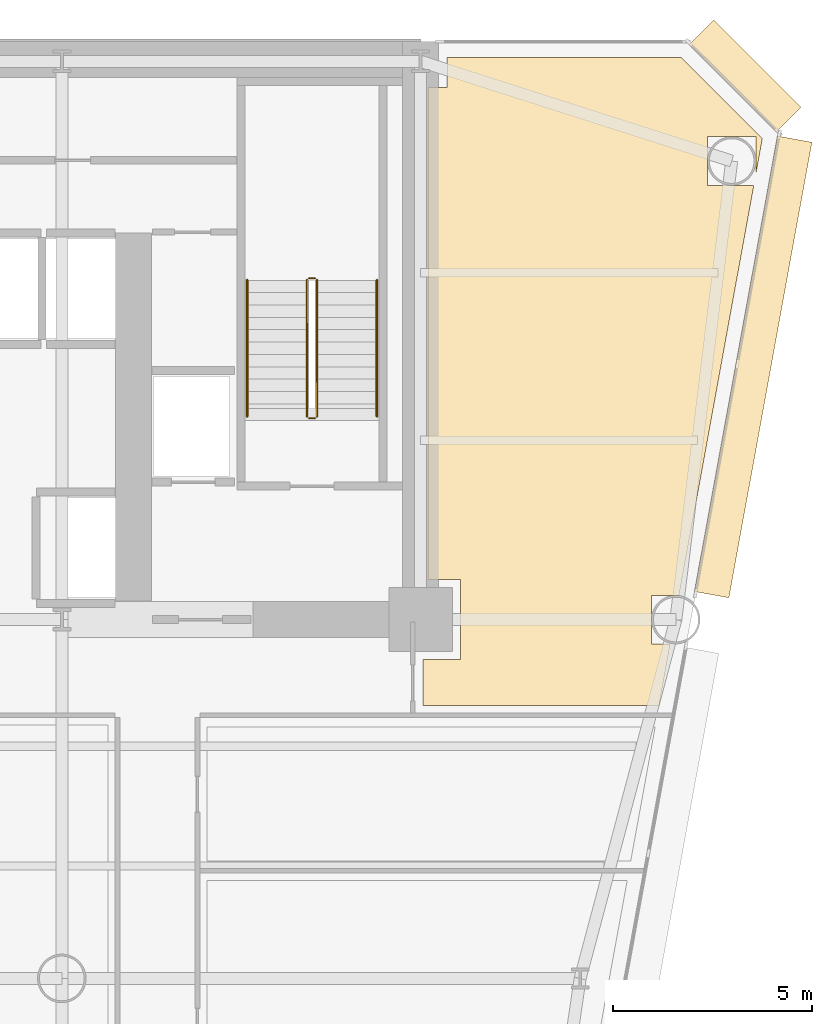
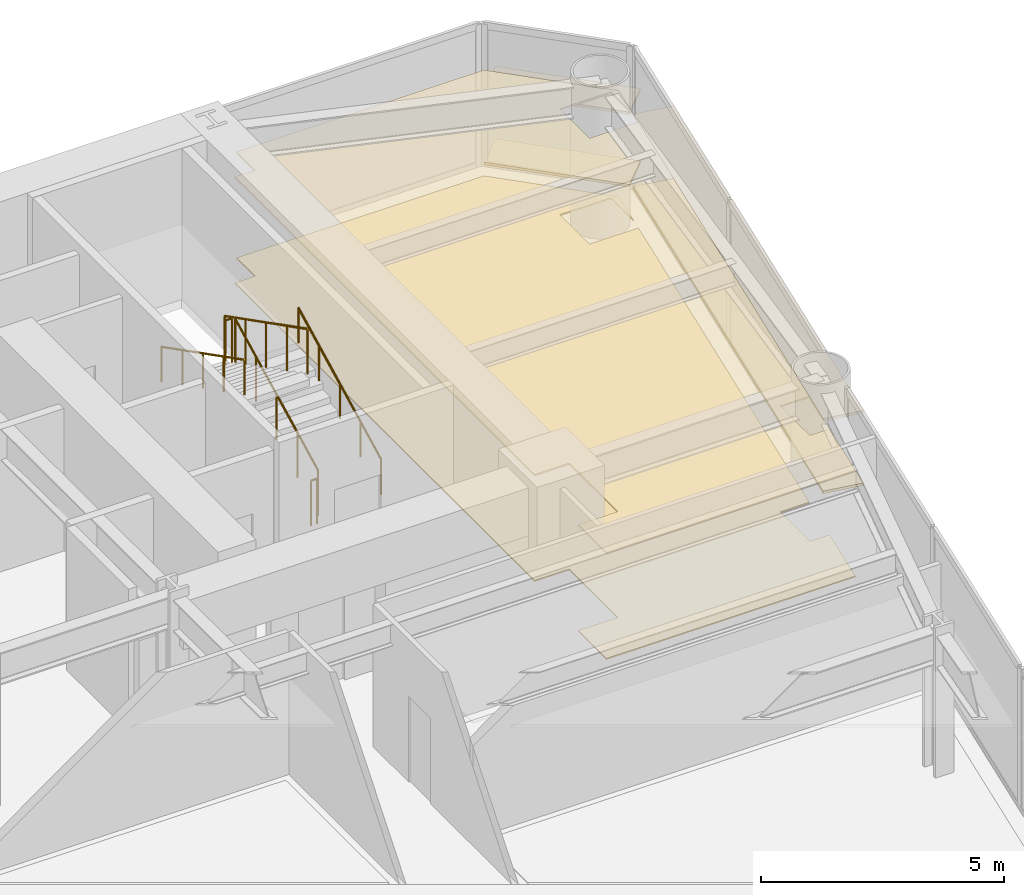
# One storey, part 14 of 14: 6 coverings, 6 railings.
"""IFC4 building model written with IfcOpenShell, lengths in metres."""

from ifc_helpers import new_model, si_unit, direction, frame, origin, origin_2d, place, context, subcontext, project, spatial, polyline, rectangle, circle, outline, extrude, source, transform, mapped, material, layer, layer_set, type_object, element, save


model = new_model("IFC4")

# Units and contexts
model_context = context("Model", 3, precision=1e-05, world=origin(), true_north=direction((0.0, 1.0)))
body_context = subcontext(model_context, "Body", "Model", "MODEL_VIEW")
ifc_project = project(units=[si_unit("LENGTHUNIT", "METRE"), si_unit("AREAUNIT", "SQUARE_METRE"), si_unit("VOLUMEUNIT", "CUBIC_METRE"), si_unit("PLANEANGLEUNIT", "RADIAN"), si_unit("MASSUNIT", "GRAM", prefix="KILO")], contexts=[model_context])

# Site, building, storey
site_placement = place(None, origin())
site = spatial("IfcSite", under=ifc_project, at=site_placement, CompositionType="ELEMENT")
building_placement = place(site_placement, origin())
building = spatial("IfcBuilding", under=site, at=building_placement, Name="Vaeldorn Concourse Tower", CompositionType="ELEMENT")
storey_placement = place(building_placement, frame((0.0, 0.0, 53.0)))
storey = spatial("IfcBuildingStorey", under=building, at=storey_placement, Name="L13", CompositionType="ELEMENT", Elevation=53.0)

# Coverings
ifc_material_1 = material(Name="Acoustic Mineral Fibre Board", Category="gypsum")
ifc_layer_1 = layer(ifc_material_1, 0.0400390625)
ifc_layer_set_1 = layer_set([ifc_layer_1], Name="Acoustic Mineral Fibre Board")
covering_type_1 = type_object("IfcCoveringType", Name="COV-CEIL-ACOUSTIC", PredefinedType="CEILING", material=ifc_layer_set_1)
covering_1_placement = place(storey_placement, frame((0.0, 0.0, 2.64990234375)))
element("IfcCovering", 1, at=covering_1_placement, inside=storey, type_object=covering_type_1, Name="Suspended Acoustic Ceiling L13-4", PredefinedType="CEILING", context=body_context, shape_type="SweptSolid", body=[
    extrude(outline(polyline([(54.179931640625, 49.840087890625), (54.659912109375, 49.840087890625), (54.659912109375, 50.60009765625), (60.5341796875, 50.60009765625), (62.56884765625, 48.5654296875), (62.409423828125, 47.690185546875), (62.409423828125, 48.609619140625), (61.1904296875, 48.609619140625), (61.1904296875, 47.390380859375), (62.35498046875, 47.390380859375), (60.5205078125, 37.320068359375), (60.5205078125, 37.320068359375), (60.482177734375, 37.109619140625), (59.79052734375, 37.109619140625), (59.79052734375, 35.890380859375), (60.260009765625, 35.890380859375), (59.977783203125, 34.340087890625), (54.06005859375, 34.340087890625), (54.06005859375, 35.5), (55.0, 35.5), (55.0, 37.5), (54.179931640625, 37.5), (54.179931640625, 49.840087890625)])), origin(), (0.0, 0.0, 1.0), 0.0400390625),
])
ifc_material_2 = material(Name="Honed Limestone Terrazzo Flooring", Category="masonry")
ifc_layer_2 = layer(ifc_material_2, 0.0400390625)
ifc_layer_set_2 = layer_set([ifc_layer_2], Name="Honed Limestone Terrazzo Flooring")
covering_type_2 = type_object("IfcCoveringType", Name="COV-FLOOR-STONE", PredefinedType="FLOORING", material=ifc_layer_set_2)
covering_2_placement = place(storey_placement, origin())
element("IfcCovering", 2, at=covering_2_placement, inside=storey, type_object=covering_type_2, Name="Floor Finish Covering L13-4", PredefinedType="FLOORING", context=body_context, shape_type="SweptSolid", body=[
    extrude(outline(polyline([(54.179931640625, 49.840087890625), (54.659912109375, 49.840087890625), (54.659912109375, 50.60009765625), (60.5341796875, 50.60009765625), (62.56884765625, 48.5654296875), (62.409423828125, 47.690185546875), (62.409423828125, 48.609619140625), (61.1904296875, 48.609619140625), (61.1904296875, 47.390380859375), (62.35498046875, 47.390380859375), (60.5205078125, 37.320068359375), (60.5205078125, 37.320068359375), (60.482177734375, 37.109619140625), (59.79052734375, 37.109619140625), (59.79052734375, 35.890380859375), (60.260009765625, 35.890380859375), (59.977783203125, 34.340087890625), (54.06005859375, 34.340087890625), (54.06005859375, 35.5), (55.0, 35.5), (55.0, 37.5), (54.179931640625, 37.5), (54.179931640625, 49.840087890625)])), origin(), (0.0, 0.0, 1.0), 0.030029296875),
])

# Railings
ifc_material_3 = material(Name="Anodised Bronze Aluminium", Category="aluminium")
railing_type_1 = type_object("IfcRailingType", Name="RL-STAIR-GUARD", PredefinedType="GUARDRAIL", material=ifc_material_3)
railing_1_placement = place(storey_placement, frame((51.39990234375, 41.60009765625, 0.158447265625)))
element("IfcRailing", 3, at=railing_1_placement, inside=storey, type_object=railing_type_1, Name="L13 ST-2 stair guard 1", PredefinedType="GUARDRAIL", context=body_context, shape_type="SweptSolid", body=[
    extrude(circle(Radius=0.02392578125, at=origin_2d()), frame((0.0, 0.0, 1.1259765625), z_axis=(0.0, 0.890581635807, 0.454823427236), x_axis=(-1.0, 0.0, 0.0)), (0.0, 0.0, 1.0), 3.828857421875),
    extrude(circle(Radius=0.02099609375, at=origin_2d()), origin(), (0.0, 0.0, 1.0), 1.101806640625),
    extrude(circle(Radius=0.02099609375, at=origin_2d()), frame((0.0, 0.8525390625, 0.435302734375)), (0.0, 0.0, 1.0), 1.101806640625),
    extrude(circle(Radius=0.02099609375, at=origin_2d()), frame((0.0, 1.705078125, 0.87060546875)), (0.0, 0.0, 1.0), 1.101806640625),
    extrude(circle(Radius=0.02099609375, at=origin_2d()), frame((0.0, 2.557373046875, 1.30615234375)), (0.0, 0.0, 1.0), 1.101806640625),
    extrude(circle(Radius=0.02099609375, at=origin_2d()), frame((0.0, 3.409912109375, 1.741455078125)), (0.0, 0.0, 1.0), 1.101806640625),
])
railing_2_placement = place(storey_placement, frame((51.35009765625, 45.06005859375, 1.89990234375)))
element("IfcRailing", 4, at=railing_2_placement, inside=storey, type_object=railing_type_1, Name="L13 ST-2 stair guard 2", PredefinedType="GUARDRAIL", context=body_context, shape_type="SweptSolid", body=[
    extrude(circle(Radius=0.02392578125, at=origin_2d()), frame((0.0, 0.0, 1.1259765625), z_axis=(-1.0, 0.0, 0.0), x_axis=(0.0, -1.0, 0.0)), (0.0, 0.0, 1.0), 0.150146484375),
    extrude(circle(Radius=0.02099609375, at=origin_2d()), origin(), (0.0, 0.0, 1.0), 1.101806640625),
    extrude(circle(Radius=0.02099609375, at=origin_2d()), frame((-0.150146484375, 0.0, 0.0)), (0.0, 0.0, 1.0), 1.101806640625),
])
railing_3_placement = place(storey_placement, frame((51.14990234375, 45.010009765625, 2.058349609375)))
element("IfcRailing", 5, at=railing_3_placement, inside=storey, type_object=railing_type_1, Name="L13 ST-2 stair guard 3", PredefinedType="GUARDRAIL", context=body_context, shape_type="SweptSolid", body=[
    extrude(circle(Radius=0.02392578125, at=origin_2d()), frame((0.0, 0.0, 1.1259765625), z_axis=(0.0, -0.890555807335, 0.454873997962), x_axis=(1.0, 0.0, 0.0)), (0.0, 0.0, 1.0), 3.828857421875),
    extrude(circle(Radius=0.02099609375, at=origin_2d()), origin(), (0.0, 0.0, 1.0), 1.101806640625),
    extrude(circle(Radius=0.02099609375, at=origin_2d()), frame((0.0, -0.8525390625, 0.435546875)), (0.0, 0.0, 1.0), 1.101806640625),
    extrude(circle(Radius=0.02099609375, at=origin_2d()), frame((0.0, -1.705078125, 0.870849609375)), (0.0, 0.0, 1.0), 1.101806640625),
    extrude(circle(Radius=0.02099609375, at=origin_2d()), frame((0.0, -2.557373046875, 1.30615234375)), (0.0, 0.0, 1.0), 1.101806640625),
    extrude(circle(Radius=0.02099609375, at=origin_2d()), frame((0.0, -3.409912109375, 1.74169921875)), (0.0, 0.0, 1.0), 1.101806640625),
])
railing_4_placement = place(storey_placement, frame((51.35009765625, 41.550048828125, 0.0)))
element("IfcRailing", 6, at=railing_4_placement, inside=storey, type_object=railing_type_1, Name="L13 ST-2 stair guard 4", PredefinedType="GUARDRAIL", context=body_context, shape_type="SweptSolid", body=[
    extrude(circle(Radius=0.02392578125, at=origin_2d()), frame((0.0, 0.0, 1.1259765625), z_axis=(-1.0, 0.0, 0.0), x_axis=(0.0, -1.0, 0.0)), (0.0, 0.0, 1.0), 0.150146484375),
    extrude(circle(Radius=0.02099609375, at=origin_2d()), origin(), (0.0, 0.0, 1.0), 1.101806640625),
    extrude(circle(Radius=0.02099609375, at=origin_2d()), frame((-0.150146484375, 0.0, 0.0)), (0.0, 0.0, 1.0), 1.101806640625),
])
railing_type_2 = type_object("IfcRailingType", Name="RL-STAIR-HANDRAIL", PredefinedType="HANDRAIL", material=ifc_material_3)
railing_5_placement = place(storey_placement, frame((52.89990234375, 41.60009765625, 0.158447265625)))
element("IfcRailing", 7, at=railing_5_placement, inside=storey, type_object=railing_type_2, Name="L13 ST-2 stair handrail 1", PredefinedType="HANDRAIL", context=body_context, shape_type="SweptSolid", body=[
    extrude(circle(Radius=0.02392578125, at=origin_2d()), frame((0.0, 0.0, 0.8759765625), z_axis=(0.0, 0.890581635807, 0.454823427236), x_axis=(-1.0, 0.0, 0.0)), (0.0, 0.0, 1.0), 3.828857421875),
    extrude(circle(Radius=0.02099609375, at=origin_2d()), origin(), (0.0, 0.0, 1.0), 0.851806640625),
    extrude(circle(Radius=0.02099609375, at=origin_2d()), frame((0.0, 0.8525390625, 0.435302734375)), (0.0, 0.0, 1.0), 0.851806640625),
    extrude(circle(Radius=0.02099609375, at=origin_2d()), frame((0.0, 1.705078125, 0.87060546875)), (0.0, 0.0, 1.0), 0.851806640625),
    extrude(circle(Radius=0.02099609375, at=origin_2d()), frame((0.0, 2.557373046875, 1.30615234375)), (0.0, 0.0, 1.0), 0.851806640625),
    extrude(circle(Radius=0.02099609375, at=origin_2d()), frame((0.0, 3.409912109375, 1.741455078125)), (0.0, 0.0, 1.0), 0.851806640625),
])
railing_6_placement = place(storey_placement, frame((49.64990234375, 45.010009765625, 2.058349609375)))
element("IfcRailing", 8, at=railing_6_placement, inside=storey, type_object=railing_type_2, Name="L13 ST-2 stair handrail 2", PredefinedType="HANDRAIL", context=body_context, shape_type="SweptSolid", body=[
    extrude(circle(Radius=0.02392578125, at=origin_2d()), frame((0.0, 0.0, 0.8759765625), z_axis=(0.0, -0.890555807335, 0.454873997962), x_axis=(1.0, 0.0, 0.0)), (0.0, 0.0, 1.0), 3.828857421875),
    extrude(circle(Radius=0.02099609375, at=origin_2d()), origin(), (0.0, 0.0, 1.0), 0.851806640625),
    extrude(circle(Radius=0.02099609375, at=origin_2d()), frame((0.0, -0.8525390625, 0.435546875)), (0.0, 0.0, 1.0), 0.851806640625),
    extrude(circle(Radius=0.02099609375, at=origin_2d()), frame((0.0, -1.705078125, 0.870849609375)), (0.0, 0.0, 1.0), 0.851806640625),
    extrude(circle(Radius=0.02099609375, at=origin_2d()), frame((0.0, -2.557373046875, 1.30615234375)), (0.0, 0.0, 1.0), 0.851806640625),
    extrude(circle(Radius=0.02099609375, at=origin_2d()), frame((0.0, -3.409912109375, 1.74169921875)), (0.0, 0.0, 1.0), 0.851806640625),
])

# Coverings
ifc_layer_3 = layer(ifc_material_3, 0.06494140625)
ifc_layer_set_3 = layer_set([ifc_layer_3], Name="Anodised Bronze Aluminium")
covering_type_3 = type_object("IfcCoveringType", Name="SD-BRONZE-SUNSHADE", PredefinedType="USERDEFINED", material=ifc_layer_set_3)
shared_shape_1 = source(origin(), body_context, "Body", "SweptSolid", [
    extrude(rectangle(XDim=3.0927734375, YDim=0.8798828125, at=origin_2d()), origin(), (0.0, 0.0, 1.0), 0.06494140625),
])
for number, where, z_axis, x_axis, name in (
    (9, (62.1328125, 50.1328125, 0.047607421875), (0.0, 0.0, 1.0), (-0.707106781187, 0.707106781187, 0.0), "Horizontal Bronze Sunshade L13-E08.1.1"),
    (10, (62.1328125, 50.1328125, 1.867431640625), (0.0, 0.0, 1.0), (-0.707106781187, 0.707106781187, 0.0), "Horizontal Bronze Sunshade L13-E08.1.2"),
):
    element("IfcCovering", number, at=place(storey_placement, frame(where, z_axis=z_axis, x_axis=x_axis)), inside=storey, type_object=covering_type_3, Name=name, ObjectType="SUNSHADE", PredefinedType="USERDEFINED", context=body_context, shape_type="MappedRepresentation", body=[
        mapped(shared_shape_1, transform((0.0, 0.0, 0.0), scale=1.0)),
    ])
shared_shape_2 = source(origin(), body_context, "Body", "SweptSolid", [
    extrude(rectangle(XDim=11.611083984375, YDim=0.8798828125, at=origin_2d()), origin(), (0.0, 0.0, 1.0), 0.06494140625),
])
for number, where, z_axis, x_axis, name in (
    (11, (62.3388671875, 42.838134765625, 0.047607421875), (0.0, 0.0, 1.0), (0.179197157467, 0.983813182853, 0.0), "Horizontal Bronze Sunshade L13-E07.2.1"),
    (12, (62.3388671875, 42.838134765625, 1.867431640625), (0.0, 0.0, 1.0), (0.179197157467, 0.983813182853, 0.0), "Horizontal Bronze Sunshade L13-E07.2.2"),
):
    element("IfcCovering", number, at=place(storey_placement, frame(where, z_axis=z_axis, x_axis=x_axis)), inside=storey, type_object=covering_type_3, Name=name, ObjectType="SUNSHADE", PredefinedType="USERDEFINED", context=body_context, shape_type="MappedRepresentation", body=[
        mapped(shared_shape_2, transform((0.0, 0.0, 0.0), scale=1.0)),
    ])

save(model, "model.ifc")
